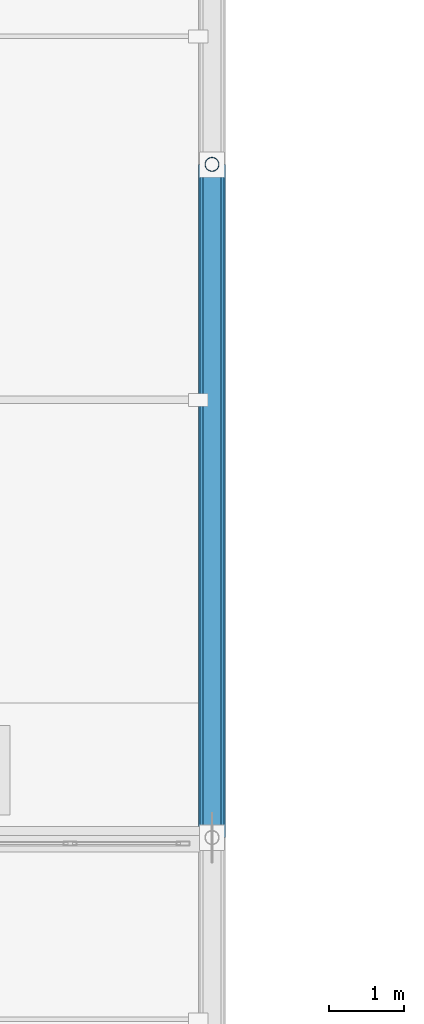
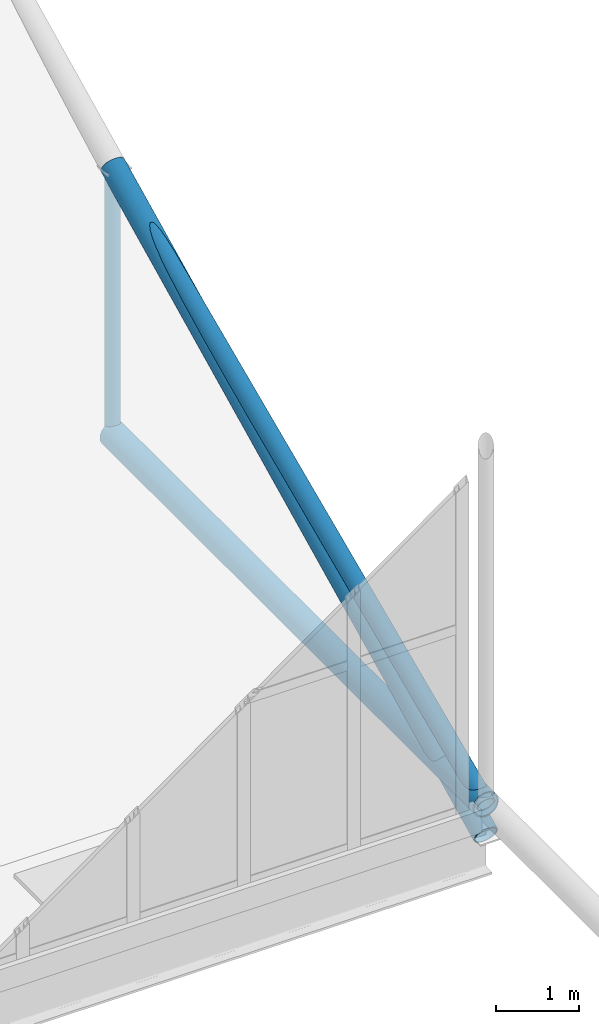
# One storey, part 20 of 38: 4 members.
"""IFC4 building model written with IfcOpenShell, lengths in metres."""

from ifc_helpers import new_model, si_unit, direction, frame, origin, origin_2d, place, context, subcontext, project, spatial, hollow_circle, extrude, material, material_profile, profile_set, type_object, element, save


model = new_model("IFC4")

# Units and contexts
model_context = context("Model", 3, precision=1e-05, world=origin(), true_north=direction((0.0, 1.0)))
body_context = subcontext(model_context, "Body", "Model", "MODEL_VIEW")
ifc_project = project(units=[si_unit("LENGTHUNIT", "METRE"), si_unit("AREAUNIT", "SQUARE_METRE"), si_unit("VOLUMEUNIT", "CUBIC_METRE"), si_unit("PLANEANGLEUNIT", "RADIAN"), si_unit("MASSUNIT", "GRAM", prefix="KILO")], contexts=[model_context])

# Site, building, storey
site_placement = place(None, origin())
site = spatial("IfcSite", under=ifc_project, at=site_placement, CompositionType="ELEMENT")
building_placement = place(site_placement, origin())
building = spatial("IfcBuilding", under=site, at=building_placement, Name="Veltarok Museum of Natural Sciences", CompositionType="ELEMENT")
storey_placement = place(building_placement, frame((0.0, 0.0, 31.199951171875)))
storey = spatial("IfcBuildingStorey", under=building, at=storey_placement, Name="RF", CompositionType="ELEMENT", Elevation=31.199951171875)

# Members
ifc_material = material(Name="Oxide-red painted Steel S355J2", Category="steel")
ifc_material_profile_1 = material_profile(ifc_material, hollow_circle(Radius=0.122314453125, WallThickness=0.012451171875, at=origin_2d()), Name="CHS 244.5x12.5")
ifc_profile_set_1 = profile_set([ifc_material_profile_1], Name="Oxide-red painted Steel S355J2")
member_type_1 = type_object("IfcMemberType", Name="Sawtooth End Diagonal CHS 244.5x12.5", PredefinedType="BRACE", material=ifc_profile_set_1)
member_1_placement = place(storey_placement, frame((98.800048828125, 54.0, -5.800048828125), z_axis=(0.0, 0.915682381641, 0.401902694633), x_axis=(-1.0, 0.0, 0.0)))
element("IfcMember", 1, at=member_1_placement, inside=storey, type_object=member_type_1, Name="Roof Truss Diagonal 12 M2", PredefinedType="BRACE", context=body_context, shape_type="SweptSolid", body=[
    extrude(hollow_circle(Radius=0.122314453125, WallThickness=0.012451171875, at=origin_2d()), origin(), (0.0, 0.0, 1.0), 9.828857421875),
])
ifc_material_profile_2 = material_profile(ifc_material, hollow_circle(Radius=0.096923828125, WallThickness=0.010009765625, at=origin_2d()), Name="CHS 193.7x10")
ifc_profile_set_2 = profile_set([ifc_material_profile_2], Name="Oxide-red painted Steel S355J2")
member_type_2 = type_object("IfcMemberType", Name="Sawtooth End Strut CHS 193.7x10", PredefinedType="STRUT", material=ifc_profile_set_2)
member_2_placement = place(storey_placement, frame((98.800048828125, 63.0, -5.800048828125), z_axis=(0.0, 0.0, 1.0), x_axis=(1.0, 0.0, 0.0)))
element("IfcMember", 2, at=member_2_placement, inside=storey, type_object=member_type_2, Name="Roof Truss Strut 12 M2", PredefinedType="STRUT", context=body_context, shape_type="SweptSolid", body=[
    extrude(hollow_circle(Radius=0.096923828125, WallThickness=0.010009765625, at=origin_2d()), origin(), (0.0, 0.0, 1.0), 3.9501953125),
])
ifc_material_profile_3 = material_profile(ifc_material, hollow_circle(Radius=0.177734375, WallThickness=0.01611328125, at=origin_2d()), Name="CHS 355.6x16")
ifc_profile_set_3 = profile_set([ifc_material_profile_3], Name="Oxide-red painted Steel S355J2")
member_type_3 = type_object("IfcMemberType", Name="Sawtooth Heavy Chord CHS 355.6x16", PredefinedType="CHORD", material=ifc_profile_set_3)
member_3_placement = place(storey_placement, frame((98.800048828125, 54.0, -5.800048828125), z_axis=(0.0, 1.0, 0.0), x_axis=(-1.0, 0.0, 0.0)))
element("IfcMember", 3, at=member_3_placement, inside=storey, type_object=member_type_3, Name="Roof Truss Bottom Chord 12 M2", PredefinedType="CHORD", context=body_context, shape_type="SweptSolid", body=[
    extrude(hollow_circle(Radius=0.177734375, WallThickness=0.01611328125, at=origin_2d()), origin(), (0.0, 0.0, 1.0), 9.0),
])
ifc_material_profile_4 = material_profile(ifc_material, hollow_circle(Radius=0.161865234375, WallThickness=0.01611328125, at=origin_2d()), Name="CHS 323.9x16")
ifc_profile_set_4 = profile_set([ifc_material_profile_4], Name="Oxide-red painted Steel S355J2")
member_type_4 = type_object("IfcMemberType", Name="Sawtooth Truss Chord CHS 323.9x16", PredefinedType="CHORD", material=ifc_profile_set_4)
member_4_placement = place(storey_placement, frame((98.800048828125, 54.0, -6.25), z_axis=(0.0, 0.898378591281, 0.43922193334), x_axis=(-1.0, 0.0, 0.0)))
element("IfcMember", 4, at=member_4_placement, inside=storey, type_object=member_type_4, Name="Roof Truss Top Chord 12 M2", PredefinedType="CHORD", context=body_context, shape_type="SweptSolid", body=[
    extrude(hollow_circle(Radius=0.161865234375, WallThickness=0.01611328125, at=origin_2d()), origin(), (0.0, 0.0, 1.0), 10.01806640625),
])

save(model, "model.ifc")
